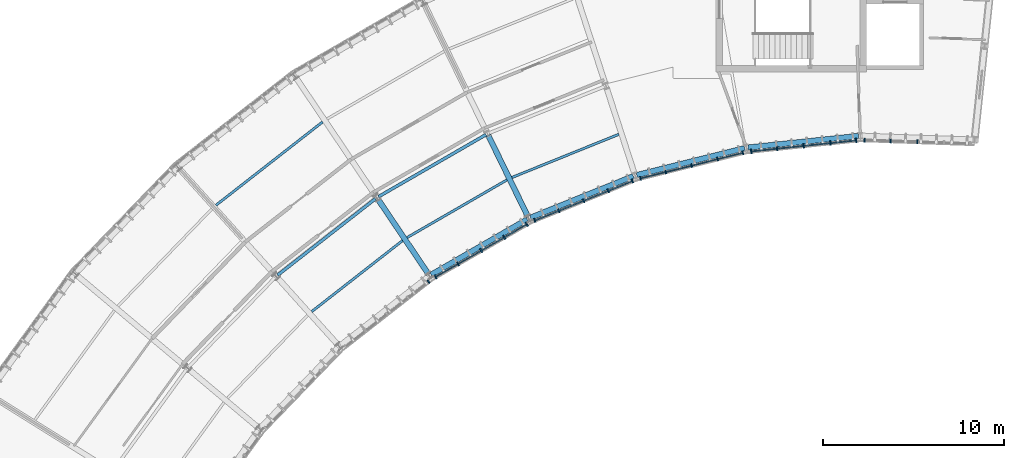
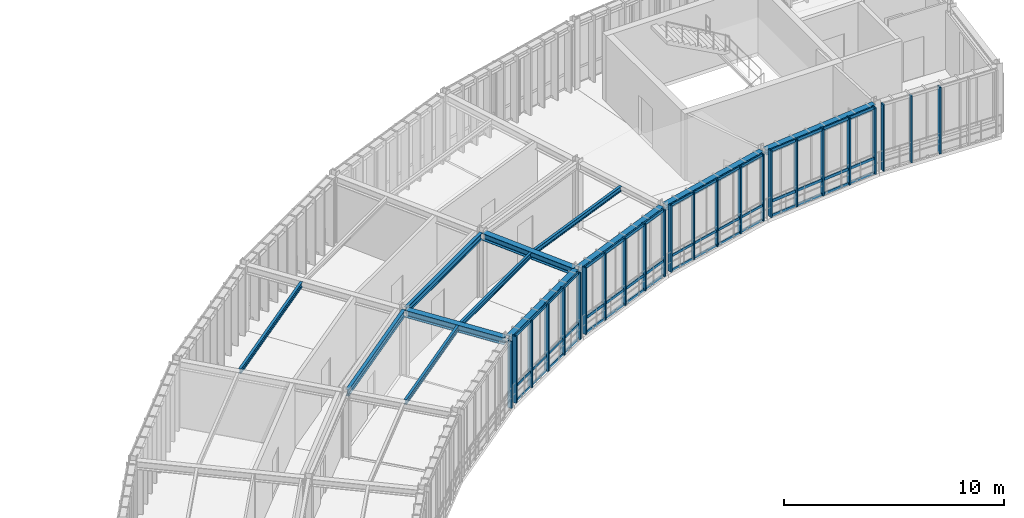
# One storey, part 13 of 41: 36 members, 12 beams, 6 elements without a shape of their own.
"""IFC4 building model written with IfcOpenShell, lengths in metres."""

from ifc_helpers import new_model, si_unit, direction, frame, origin, origin_2d, place, context, subcontext, project, spatial, rectangle, i_section, extrude, material, layer, layer_set, material_profile, profile_set, type_object, element, aggregate, save


model = new_model("IFC4")

# Units and contexts
model_context = context("Model", 3, precision=1e-05, world=origin(), true_north=direction((0.0, 1.0)))
body_context = subcontext(model_context, "Body", "Model", "MODEL_VIEW")
ifc_project = project(units=[si_unit("LENGTHUNIT", "METRE"), si_unit("AREAUNIT", "SQUARE_METRE"), si_unit("VOLUMEUNIT", "CUBIC_METRE"), si_unit("PLANEANGLEUNIT", "RADIAN"), si_unit("MASSUNIT", "GRAM", prefix="KILO"), si_unit("THERMODYNAMICTEMPERATUREUNIT", "KELVIN"), si_unit("POWERUNIT", "WATT")], contexts=[model_context])

# Site, building, storey
site_placement = place(None, origin())
site = spatial("IfcSite", under=ifc_project, at=site_placement, CompositionType="ELEMENT")
building_placement = place(site_placement, origin())
building = spatial("IfcBuilding", under=site, at=building_placement, Name="Solvatero Civic Police Headquarters", CompositionType="ELEMENT")
storey_placement = place(building_placement, frame((0.0, 0.0, 17.699951171875)))
storey = spatial("IfcBuildingStorey", under=building, at=storey_placement, Name="L04", CompositionType="ELEMENT", Elevation=17.699951171875)

# Beams
ifc_material_1 = material(Name="Steel S355", Category="steel")
ifc_material_profile_1 = material_profile(ifc_material_1, i_section(OverallWidth=0.300048828125, OverallDepth=0.2900390625, WebThickness=0.008544921875, FlangeThickness=0.013916015625, FilletRadius=0.027099609375, at=origin_2d()), Name="HEA 300")
ifc_profile_set_1 = profile_set([ifc_material_profile_1], Name="Steel S355")
beam_type_1 = type_object("IfcBeamType", Name="BM-ST-HEA300", PredefinedType="SPANDREL", material=ifc_profile_set_1)
for number, where, z_axis, x_axis, name in (
    (1, (92.31787109375, 71.31201171875, 3.554931640625), (-0.994518545743, -0.104560327912, 0.0), (0.104560327912, -0.994518545743, 0.0), "Perimeter / radial spandrel beam BM-R2-L04-ARC-CIN-B02"),
    (2, (86.028076171875, 70.63671875, 3.554931640625), (-0.970299338414, -0.241907407643, 0.0), (0.241907407643, -0.970299338414, 0.0), "Perimeter / radial spandrel beam BM-R2-L04-ARC-CIN-B03"),
):
    element("IfcBeam", number, at=place(storey_placement, frame(where, z_axis=z_axis, x_axis=x_axis)), inside=storey, type_object=beam_type_1, Name=name, PredefinedType="SPANDREL", context=body_context, shape_type="SweptSolid", body=[
        extrude(i_section(OverallWidth=0.300048828125, OverallDepth=0.2900390625, WebThickness=0.008544921875, FlangeThickness=0.013916015625, FilletRadius=0.027099609375, at=origin_2d()), origin(), (0.0, 0.0, 1.0), 6.126953125),
    ])
for number, where, z_axis, x_axis, name in (
    (3, (79.893310546875, 69.093017578125, 3.554931640625), (-0.927182224478, -0.374610628001, 0.0), (0.374610628001, -0.927182224478, 0.0), "Perimeter / radial spandrel beam BM-R2-L04-ARC-CIN-B04"),
    (4, (74.033203125, 66.710205078125, 3.554931640625), (-0.86603495258, -0.499983460637, 0.0), (0.499983460637, -0.86603495258, 0.0), "Perimeter / radial spandrel beam BM-R2-L04-ARC-CIN-B05"),
):
    element("IfcBeam", number, at=place(storey_placement, frame(where, z_axis=z_axis, x_axis=x_axis)), inside=storey, type_object=beam_type_1, Name=name, PredefinedType="SPANDREL", context=body_context, shape_type="SweptSolid", body=[
        extrude(i_section(OverallWidth=0.300048828125, OverallDepth=0.2900390625, WebThickness=0.008544921875, FlangeThickness=0.013916015625, FilletRadius=0.027099609375, at=origin_2d()), origin(), (0.0, 0.0, 1.0), 6.126708984375),
    ])
ifc_material_profile_2 = material_profile(ifc_material_1, i_section(OverallWidth=0.300048828125, OverallDepth=0.389892578125, WebThickness=0.010986328125, FlangeThickness=0.01904296875, FilletRadius=0.027099609375, at=origin_2d()), Name="HEA 400")
ifc_profile_set_2 = profile_set([ifc_material_profile_2], Name="Steel S355")
beam_type_2 = type_object("IfcBeamType", Name="BM-ST-HEA400", PredefinedType="BEAM", material=ifc_profile_set_2)
for number, where, z_axis, x_axis, name in (
    (5, (74.076171875, 66.85009765625, 3.505126953125), (-0.438422670017, 0.898768914914, 0.0), (-0.898768914914, -0.438422670017, 0.0), "Primary girder BM-R2-L04-ARC-RAD1-S04"),
    (6, (68.584716796875, 63.6796875, 3.505126953125), (-0.559176791171, 0.829048440211, 0.0), (-0.829048440211, -0.559176791171, 0.0), "Primary girder BM-R2-L04-ARC-RAD1-S05"),
):
    element("IfcBeam", number, at=place(storey_placement, frame(where, z_axis=z_axis, x_axis=x_axis)), inside=storey, type_object=beam_type_2, Name=name, PredefinedType="BEAM", context=body_context, shape_type="SweptSolid", body=[
        extrude(i_section(OverallWidth=0.300048828125, OverallDepth=0.389892578125, WebThickness=0.010986328125, FlangeThickness=0.01904296875, FilletRadius=0.027099609375, at=origin_2d()), origin(), (0.0, 0.0, 1.0), 5.0),
    ])
ifc_material_profile_3 = material_profile(ifc_material_1, i_section(OverallWidth=0.135009765625, OverallDepth=0.27001953125, WebThickness=0.006591796875, FlangeThickness=0.01025390625, FilletRadius=0.014892578125, at=origin_2d()), Name="IPE 270")
ifc_profile_set_3 = profile_set([ifc_material_profile_3], Name="Steel S355")
beam_type_3 = type_object("IfcBeamType", Name="BM-ST-IPE270", PredefinedType="BEAM", material=ifc_profile_set_3)
beam_1_placement = place(storey_placement, frame((79.08984375, 71.404296875, 3.56494140625), z_axis=(-0.927180902573, -0.374613899774, 0.0), x_axis=(0.374613899774, -0.927180902573, 0.0)))
element("IfcBeam", 7, at=beam_1_placement, inside=storey, type_object=beam_type_3, Name="Composite floor beam BM-R2-L04-ARC-CS1-B04", PredefinedType="BEAM", context=body_context, shape_type="SweptSolid", body=[
    extrude(i_section(OverallWidth=0.135009765625, OverallDepth=0.27001953125, WebThickness=0.006591796875, FlangeThickness=0.01025390625, FilletRadius=0.014892578125, at=origin_2d()), origin(), (0.0, 0.0, 1.0), 6.36865234375),
])
beam_2_placement = place(storey_placement, frame((72.916015625, 68.887451171875, 3.56494140625), z_axis=(-0.866017059223, -0.500014452926, 0.0), x_axis=(0.500014452926, -0.866017059223, 0.0)))
element("IfcBeam", 8, at=beam_2_placement, inside=storey, type_object=beam_type_3, Name="Composite floor beam BM-R2-L04-ARC-CS1-B05", PredefinedType="BEAM", context=body_context, shape_type="SweptSolid", body=[
    extrude(i_section(OverallWidth=0.135009765625, OverallDepth=0.27001953125, WebThickness=0.006591796875, FlangeThickness=0.01025390625, FilletRadius=0.014892578125, at=origin_2d()), origin(), (0.0, 0.0, 1.0), 6.368896484375),
])
beam_3_placement = place(storey_placement, frame((67.15234375, 65.53564453125, 3.56494140625), z_axis=(-0.787994151897, -0.615682723955, 0.0), x_axis=(0.615682723955, -0.787994151897, 0.0)))
element("IfcBeam", 9, at=beam_3_placement, inside=storey, type_object=beam_type_3, Name="Composite floor beam BM-R2-L04-ARC-CS1-B06", PredefinedType="BEAM", context=body_context, shape_type="SweptSolid", body=[
    extrude(i_section(OverallWidth=0.135009765625, OverallDepth=0.27001953125, WebThickness=0.006591796875, FlangeThickness=0.01025390625, FilletRadius=0.014892578125, at=origin_2d()), origin(), (0.0, 0.0, 1.0), 6.36865234375),
])
beam_4_placement = place(storey_placement, frame((62.73486328125, 72.085205078125, 3.56494140625), z_axis=(-0.78800951062, -0.615663066272, 0.0), x_axis=(0.615663066272, -0.78800951062, 0.0)))
element("IfcBeam", 10, at=beam_4_placement, inside=storey, type_object=beam_type_3, Name="Composite floor beam BM-R2-L04-ARC-CS2-B06", PredefinedType="BEAM", context=body_context, shape_type="SweptSolid", body=[
    extrude(i_section(OverallWidth=0.135009765625, OverallDepth=0.27001953125, WebThickness=0.006591796875, FlangeThickness=0.01025390625, FilletRadius=0.014892578125, at=origin_2d()), origin(), (0.0, 0.0, 1.0), 7.470947265625),
])
ifc_material_profile_4 = material_profile(ifc_material_1, i_section(OverallWidth=0.169921875, OverallDepth=0.360107421875, WebThickness=0.008056640625, FlangeThickness=0.0126953125, FilletRadius=0.01806640625, at=origin_2d()), Name="IPE 360")
ifc_profile_set_4 = profile_set([ifc_material_profile_4], Name="Steel S355")
beam_type_4 = type_object("IfcBeamType", Name="BM-ST-IPE360", PredefinedType="BEAM", material=ifc_profile_set_4)
for number, where, z_axis, x_axis, name in (
    (11, (71.753662109375, 71.384033203125, 3.52001953125), (-0.866020050267, -0.50000927245, 0.0), (0.50000927245, -0.866020050267, 0.0), "Composite floor beam BM-R2-L04-ARC-CMID-B05"),
    (12, (65.654052734375, 67.84619140625, 3.52001953125), (-0.788036257023, -0.615628831047, 0.0), (0.615628831047, -0.788036257023, 0.0), "Composite floor beam BM-R2-L04-ARC-CMID-B06"),
):
    element("IfcBeam", number, at=place(storey_placement, frame(where, z_axis=z_axis, x_axis=x_axis)), inside=storey, type_object=beam_type_4, Name=name, PredefinedType="BEAM", context=body_context, shape_type="SweptSolid", body=[
        extrude(i_section(OverallWidth=0.169921875, OverallDepth=0.360107421875, WebThickness=0.008056640625, FlangeThickness=0.0126953125, FilletRadius=0.01806640625, at=origin_2d()), origin(), (0.0, 0.0, 1.0), 6.852294921875),
    ])

# Curtain wall, members
ifc_material_2 = material(Name="Anodized Bronze Aluminium", Category="aluminium")
ifc_layer = layer(ifc_material_2, 0.179931640625)
ifc_layer_set = layer_set([ifc_layer], Name="Anodized Bronze Aluminium")
curtain_wall_type = type_object("IfcCurtainWallType", Name="CW-ARC-IN", PredefinedType="USERDEFINED", material=ifc_layer_set)
curtain_wall_1_placement = place(storey_placement, origin())
curtain_wall_1 = element("IfcCurtainWall", 13, at=curtain_wall_1_placement, inside=storey, type_object=curtain_wall_type, Name="Curtain Wall CW-R2-L04-ARC-IN-B02", ObjectType="UNITISED", PredefinedType="USERDEFINED")
ifc_material_profile_5 = material_profile(ifc_material_2, rectangle(XDim=0.080078125, YDim=0.239990234375, at=origin_2d()), Name="ALU MULLION 80x240")
ifc_profile_set_5 = profile_set([ifc_material_profile_5], Name="Anodized Bronze Aluminium")
member_type_1 = type_object("IfcMemberType", Name="CWM-140x60", PredefinedType="MULLION", material=ifc_profile_set_5)
member_1_placement = place(storey_placement, frame((92.192626953125, 71.068115234375, 0.0), z_axis=(0.0, 0.0, 1.0), x_axis=(-0.994521895368, -0.104528463268, 0.0)))
member_1 = element("IfcMember", 14, at=member_1_placement, type_object=member_type_1, Name="CW-R2-L04-ARC-IN-B02 Mullion 1", PredefinedType="MULLION", context=body_context, shape_type="SweptSolid", body=[
    extrude(rectangle(XDim=0.080078125, YDim=0.239990234375, at=origin_2d()), origin(), (0.0, 0.0, 1.0), 3.699951171875),
])
member_2_placement = place(storey_placement, frame((90.763916015625, 70.917724609375, 0.0), z_axis=(0.0, 0.0, 1.0), x_axis=(-0.994521895368, -0.104528463268, 0.0)))
member_2 = element("IfcMember", 15, at=member_2_placement, type_object=member_type_1, Name="CW-R2-L04-ARC-IN-B02 Mullion 2", PredefinedType="MULLION", context=body_context, shape_type="SweptSolid", body=[
    extrude(rectangle(XDim=0.080078125, YDim=0.239990234375, at=origin_2d()), origin(), (0.0, 0.0, 1.0), 3.699951171875),
])
member_3_placement = place(storey_placement, frame((89.295166015625, 70.763427734375, 0.0), z_axis=(0.0, 0.0, 1.0), x_axis=(-0.994521895368, -0.104528463268, 0.0)))
member_3 = element("IfcMember", 16, at=member_3_placement, type_object=member_type_1, Name="CW-R2-L04-ARC-IN-B02 Mullion 3", PredefinedType="MULLION", context=body_context, shape_type="SweptSolid", body=[
    extrude(rectangle(XDim=0.080078125, YDim=0.239990234375, at=origin_2d()), origin(), (0.0, 0.0, 1.0), 3.699951171875),
])
member_4_placement = place(storey_placement, frame((87.82666015625, 70.609130859375, 0.0), z_axis=(0.0, 0.0, 1.0), x_axis=(-0.994521895368, -0.104528463268, 0.0)))
member_4 = element("IfcMember", 17, at=member_4_placement, type_object=member_type_1, Name="CW-R2-L04-ARC-IN-B02 Mullion 4", PredefinedType="MULLION", context=body_context, shape_type="SweptSolid", body=[
    extrude(rectangle(XDim=0.080078125, YDim=0.239990234375, at=origin_2d()), origin(), (0.0, 0.0, 1.0), 3.699951171875),
])
member_5_placement = place(storey_placement, frame((86.397705078125, 70.458984375, 0.0), z_axis=(0.0, 0.0, 1.0), x_axis=(-0.994521895368, -0.104528463268, 0.0)))
member_5 = element("IfcMember", 18, at=member_5_placement, type_object=member_type_1, Name="CW-R2-L04-ARC-IN-B02 Mullion 5", PredefinedType="MULLION", context=body_context, shape_type="SweptSolid", body=[
    extrude(rectangle(XDim=0.080078125, YDim=0.239990234375, at=origin_2d()), origin(), (0.0, 0.0, 1.0), 3.699951171875),
])

curtain_wall_2_placement = place(storey_placement, origin())
curtain_wall_2 = element("IfcCurtainWall", 19, at=curtain_wall_2_placement, inside=storey, type_object=curtain_wall_type, Name="Curtain Wall CW-R2-L04-ARC-IN-B05", ObjectType="UNITISED", PredefinedType="USERDEFINED")
member_6_placement = place(storey_placement, frame((74.009521484375, 66.431640625, 0.0), z_axis=(0.0, 0.0, 1.0), x_axis=(-0.866025403784, -0.5, 0.0)))
member_6 = element("IfcMember", 20, at=member_6_placement, type_object=member_type_1, Name="CW-R2-L04-ARC-IN-B05 Mullion 1", PredefinedType="MULLION", context=body_context, shape_type="SweptSolid", body=[
    extrude(rectangle(XDim=0.080078125, YDim=0.239990234375, at=origin_2d()), origin(), (0.0, 0.0, 1.0), 3.699951171875),
])
member_7_placement = place(storey_placement, frame((72.767333984375, 65.714599609375, 0.0), z_axis=(0.0, 0.0, 1.0), x_axis=(-0.866025403784, -0.5, 0.0)))
member_7 = element("IfcMember", 21, at=member_7_placement, type_object=member_type_1, Name="CW-R2-L04-ARC-IN-B05 Mullion 2", PredefinedType="MULLION", context=body_context, shape_type="SweptSolid", body=[
    extrude(rectangle(XDim=0.080078125, YDim=0.239990234375, at=origin_2d()), origin(), (0.0, 0.0, 1.0), 3.699951171875),
])
member_8_placement = place(storey_placement, frame((71.490478515625, 64.9775390625, 0.0), z_axis=(0.0, 0.0, 1.0), x_axis=(-0.866025403784, -0.5, 0.0)))
member_8 = element("IfcMember", 22, at=member_8_placement, type_object=member_type_1, Name="CW-R2-L04-ARC-IN-B05 Mullion 3", PredefinedType="MULLION", context=body_context, shape_type="SweptSolid", body=[
    extrude(rectangle(XDim=0.080078125, YDim=0.239990234375, at=origin_2d()), origin(), (0.0, 0.0, 1.0), 3.699951171875),
])
member_9_placement = place(storey_placement, frame((70.2138671875, 64.240478515625, 0.0), z_axis=(0.0, 0.0, 1.0), x_axis=(-0.866025403784, -0.5, 0.0)))
member_9 = element("IfcMember", 23, at=member_9_placement, type_object=member_type_1, Name="CW-R2-L04-ARC-IN-B05 Mullion 4", PredefinedType="MULLION", context=body_context, shape_type="SweptSolid", body=[
    extrude(rectangle(XDim=0.080078125, YDim=0.239990234375, at=origin_2d()), origin(), (0.0, 0.0, 1.0), 3.699951171875),
])
member_10_placement = place(storey_placement, frame((68.9716796875, 63.523193359375, 0.0), z_axis=(0.0, 0.0, 1.0), x_axis=(-0.866025403784, -0.5, 0.0)))
member_10 = element("IfcMember", 24, at=member_10_placement, type_object=member_type_1, Name="CW-R2-L04-ARC-IN-B05 Mullion 5", PredefinedType="MULLION", context=body_context, shape_type="SweptSolid", body=[
    extrude(rectangle(XDim=0.080078125, YDim=0.239990234375, at=origin_2d()), origin(), (0.0, 0.0, 1.0), 3.699951171875),
])

curtain_wall_3_placement = place(storey_placement, origin())
curtain_wall_3 = element("IfcCurtainWall", 25, at=curtain_wall_3_placement, inside=storey, type_object=curtain_wall_type, Name="Curtain Wall CW-R2-L04-ARC-IN-B03", ObjectType="UNITISED", PredefinedType="USERDEFINED")
ifc_material_profile_6 = material_profile(ifc_material_2, rectangle(XDim=0.070068359375, YDim=0.199951171875, at=origin_2d()), Name="ALU MULLION 70x200")
ifc_profile_set_6 = profile_set([ifc_material_profile_6], Name="Anodized Bronze Aluminium")
member_type_2 = type_object("IfcMemberType", Name="CWM-220x80", PredefinedType="MULLION", material=ifc_profile_set_6)
member_11_placement = place(storey_placement, frame((85.93798828125, 70.3779296875, 0.0), z_axis=(0.0, 0.0, 1.0), x_axis=(-0.970295726276, -0.2419218956, 0.0)))
member_11 = element("IfcMember", 26, at=member_11_placement, type_object=member_type_2, Name="CW-R2-L04-ARC-IN-B03 Mullion 1", PredefinedType="MULLION", context=body_context, shape_type="SweptSolid", body=[
    extrude(rectangle(XDim=0.070068359375, YDim=0.199951171875, at=origin_2d()), origin(), (0.0, 0.0, 1.0), 3.699951171875),
])
member_12_placement = place(storey_placement, frame((84.5439453125, 70.0302734375, 0.0), z_axis=(0.0, 0.0, 1.0), x_axis=(-0.970295726276, -0.2419218956, 0.0)))
member_12 = element("IfcMember", 27, at=member_12_placement, type_object=member_type_2, Name="CW-R2-L04-ARC-IN-B03 Mullion 2", PredefinedType="MULLION", context=body_context, shape_type="SweptSolid", body=[
    extrude(rectangle(XDim=0.070068359375, YDim=0.199951171875, at=origin_2d()), origin(), (0.0, 0.0, 1.0), 3.699951171875),
])
member_13_placement = place(storey_placement, frame((83.111083984375, 69.673095703125, 0.0), z_axis=(0.0, 0.0, 1.0), x_axis=(-0.970295726276, -0.2419218956, 0.0)))
member_13 = element("IfcMember", 28, at=member_13_placement, type_object=member_type_2, Name="CW-R2-L04-ARC-IN-B03 Mullion 3", PredefinedType="MULLION", context=body_context, shape_type="SweptSolid", body=[
    extrude(rectangle(XDim=0.070068359375, YDim=0.199951171875, at=origin_2d()), origin(), (0.0, 0.0, 1.0), 3.699951171875),
])
member_14_placement = place(storey_placement, frame((81.67822265625, 69.31591796875, 0.0), z_axis=(0.0, 0.0, 1.0), x_axis=(-0.970295726276, -0.2419218956, 0.0)))
member_14 = element("IfcMember", 29, at=member_14_placement, type_object=member_type_2, Name="CW-R2-L04-ARC-IN-B03 Mullion 4", PredefinedType="MULLION", context=body_context, shape_type="SweptSolid", body=[
    extrude(rectangle(XDim=0.070068359375, YDim=0.199951171875, at=origin_2d()), origin(), (0.0, 0.0, 1.0), 3.699951171875),
])
member_15_placement = place(storey_placement, frame((80.2841796875, 68.96826171875, 0.0), z_axis=(0.0, 0.0, 1.0), x_axis=(-0.970295726276, -0.2419218956, 0.0)))
member_15 = element("IfcMember", 30, at=member_15_placement, type_object=member_type_2, Name="CW-R2-L04-ARC-IN-B03 Mullion 5", PredefinedType="MULLION", context=body_context, shape_type="SweptSolid", body=[
    extrude(rectangle(XDim=0.070068359375, YDim=0.199951171875, at=origin_2d()), origin(), (0.0, 0.0, 1.0), 3.699951171875),
])

# Curtain wall, member
curtain_wall_4_placement = place(storey_placement, origin())
curtain_wall_4 = element("IfcCurtainWall", 31, at=curtain_wall_4_placement, inside=storey, type_object=curtain_wall_type, Name="Curtain Wall CW-R2-L04-ARC-IN-B06", ObjectType="UNITISED", PredefinedType="USERDEFINED")
member_16_placement = place(storey_placement, frame((68.5849609375, 63.26220703125, 0.0), z_axis=(0.0, 0.0, 1.0), x_axis=(-0.788010753607, -0.615661475326, 0.0)))
member_16 = element("IfcMember", 32, at=member_16_placement, type_object=member_type_2, Name="CW-R2-L04-ARC-IN-B06 Mullion 1", PredefinedType="MULLION", context=body_context, shape_type="SweptSolid", body=[
    extrude(rectangle(XDim=0.070068359375, YDim=0.199951171875, at=origin_2d()), origin(), (0.0, 0.0, 1.0), 3.699951171875),
])
aggregate(curtain_wall_4, [member_16])

# Curtain wall, members
curtain_wall_5_placement = place(storey_placement, origin())
curtain_wall_5 = element("IfcCurtainWall", 33, at=curtain_wall_5_placement, inside=storey, type_object=curtain_wall_type, Name="Curtain Wall CW-R2-L04-ARC-IN-B01", ObjectType="UNITISED", PredefinedType="USERDEFINED")
ifc_material_profile_7 = material_profile(ifc_material_2, rectangle(XDim=0.074951171875, YDim=0.219970703125, at=origin_2d()), Name="ALU MULLION 75x220")
ifc_profile_set_7 = profile_set([ifc_material_profile_7], Name="Anodized Bronze Aluminium")
member_type_3 = type_object("IfcMemberType", Name="CWM-250x85", PredefinedType="MULLION", material=ifc_profile_set_7)
member_17_placement = place(storey_placement, frame((95.56591796875, 70.98291015625, 0.0), z_axis=(0.0, 0.0, 1.0), x_axis=(-0.999390827019, 0.034899496703, 0.0)))
member_17 = element("IfcMember", 34, at=member_17_placement, type_object=member_type_3, Name="CW-R2-L04-ARC-IN-B01 Mullion 3", PredefinedType="MULLION", context=body_context, shape_type="SweptSolid", body=[
    extrude(rectangle(XDim=0.074951171875, YDim=0.219970703125, at=origin_2d()), origin(), (0.0, 0.0, 1.0), 3.699951171875),
])
member_18_placement = place(storey_placement, frame((94.092529296875, 71.0341796875, 0.0), z_axis=(0.0, 0.0, 1.0), x_axis=(-0.999390827019, 0.034899496703, 0.0)))
member_18 = element("IfcMember", 35, at=member_18_placement, type_object=member_type_3, Name="CW-R2-L04-ARC-IN-B01 Mullion 4", PredefinedType="MULLION", context=body_context, shape_type="SweptSolid", body=[
    extrude(rectangle(XDim=0.074951171875, YDim=0.219970703125, at=origin_2d()), origin(), (0.0, 0.0, 1.0), 3.699951171875),
])
member_19_placement = place(storey_placement, frame((92.6591796875, 71.084228515625, 0.0), z_axis=(0.0, 0.0, 1.0), x_axis=(-0.999390827019, 0.034899496703, 0.0)))
member_19 = element("IfcMember", 36, at=member_19_placement, type_object=member_type_3, Name="CW-R2-L04-ARC-IN-B01 Mullion 5", PredefinedType="MULLION", context=body_context, shape_type="SweptSolid", body=[
    extrude(rectangle(XDim=0.074951171875, YDim=0.219970703125, at=origin_2d()), origin(), (0.0, 0.0, 1.0), 3.699951171875),
])
aggregate(curtain_wall_5, [member_17, member_18, member_19])

curtain_wall_6_placement = place(storey_placement, origin())
curtain_wall_6 = element("IfcCurtainWall", 37, at=curtain_wall_6_placement, inside=storey, type_object=curtain_wall_type, Name="Curtain Wall CW-R2-L04-ARC-IN-B04", ObjectType="UNITISED", PredefinedType="USERDEFINED")
member_20_placement = place(storey_placement, frame((79.840087890625, 68.823974609375, 0.0), z_axis=(0.0, 0.0, 1.0), x_axis=(-0.927183854567, -0.374606593416, 0.0)))
member_20 = element("IfcMember", 38, at=member_20_placement, type_object=member_type_3, Name="CW-R2-L04-ARC-IN-B04 Mullion 1", PredefinedType="MULLION", context=body_context, shape_type="SweptSolid", body=[
    extrude(rectangle(XDim=0.074951171875, YDim=0.219970703125, at=origin_2d()), origin(), (0.0, 0.0, 1.0), 3.699951171875),
])
member_21_placement = place(storey_placement, frame((78.510498046875, 68.28662109375, 0.0), z_axis=(0.0, 0.0, 1.0), x_axis=(-0.927183854567, -0.374606593416, 0.0)))
member_21 = element("IfcMember", 39, at=member_21_placement, type_object=member_type_3, Name="CW-R2-L04-ARC-IN-B04 Mullion 2", PredefinedType="MULLION", context=body_context, shape_type="SweptSolid", body=[
    extrude(rectangle(XDim=0.074951171875, YDim=0.219970703125, at=origin_2d()), origin(), (0.0, 0.0, 1.0), 3.699951171875),
])
member_22_placement = place(storey_placement, frame((77.1435546875, 67.734619140625, 0.0), z_axis=(0.0, 0.0, 1.0), x_axis=(-0.927183854567, -0.374606593416, 0.0)))
member_22 = element("IfcMember", 40, at=member_22_placement, type_object=member_type_3, Name="CW-R2-L04-ARC-IN-B04 Mullion 3", PredefinedType="MULLION", context=body_context, shape_type="SweptSolid", body=[
    extrude(rectangle(XDim=0.074951171875, YDim=0.219970703125, at=origin_2d()), origin(), (0.0, 0.0, 1.0), 3.699951171875),
])
member_23_placement = place(storey_placement, frame((75.776611328125, 67.18212890625, 0.0), z_axis=(0.0, 0.0, 1.0), x_axis=(-0.927183854567, -0.374606593416, 0.0)))
member_23 = element("IfcMember", 41, at=member_23_placement, type_object=member_type_3, Name="CW-R2-L04-ARC-IN-B04 Mullion 4", PredefinedType="MULLION", context=body_context, shape_type="SweptSolid", body=[
    extrude(rectangle(XDim=0.074951171875, YDim=0.219970703125, at=origin_2d()), origin(), (0.0, 0.0, 1.0), 3.699951171875),
])
member_24_placement = place(storey_placement, frame((74.447021484375, 66.64501953125, 0.0), z_axis=(0.0, 0.0, 1.0), x_axis=(-0.927183854567, -0.374606593416, 0.0)))
member_24 = element("IfcMember", 42, at=member_24_placement, type_object=member_type_3, Name="CW-R2-L04-ARC-IN-B04 Mullion 5", PredefinedType="MULLION", context=body_context, shape_type="SweptSolid", body=[
    extrude(rectangle(XDim=0.074951171875, YDim=0.219970703125, at=origin_2d()), origin(), (0.0, 0.0, 1.0), 3.699951171875),
])

# Member
ifc_material_profile_8 = material_profile(ifc_material_2, rectangle(XDim=0.070068359375, YDim=0.159912109375, at=origin_2d()), Name="ALU TRANSOM 70x160")
ifc_profile_set_8 = profile_set([ifc_material_profile_8], Name="Anodized Bronze Aluminium")
member_type_4 = type_object("IfcMemberType", Name="CWT-120x55", PredefinedType="USERDEFINED", material=ifc_profile_set_8)
member_25_placement = place(storey_placement, frame((92.182861328125, 71.06689453125, 0.0400390625), z_axis=(-0.994522947256, -0.10451845474, 0.0), x_axis=(0.10451845474, -0.994522947256, 0.0)))
member_25 = element("IfcMember", 43, at=member_25_placement, type_object=member_type_4, Name="CW-R2-L04-ARC-IN-B02 Transom 1", ObjectType="TRANSOM", PredefinedType="USERDEFINED", context=body_context, shape_type="SweptSolid", body=[
    extrude(rectangle(XDim=0.070068359375, YDim=0.159912109375, at=origin_2d()), origin(), (0.0, 0.0, 1.0), 5.806884765625),
])

member_26_placement = place(storey_placement, frame((92.182861328125, 71.06689453125, 0.85009765625), z_axis=(-0.994522947256, -0.10451845474, 0.0), x_axis=(0.10451845474, -0.994522947256, 0.0)))
member_26 = element("IfcMember", 44, at=member_26_placement, type_object=member_type_4, Name="CW-R2-L04-ARC-IN-B02 Transom 2", ObjectType="TRANSOM", PredefinedType="USERDEFINED", context=body_context, shape_type="SweptSolid", body=[
    extrude(rectangle(XDim=0.070068359375, YDim=0.159912109375, at=origin_2d()), origin(), (0.0, 0.0, 1.0), 5.806884765625),
])

member_27_placement = place(storey_placement, frame((92.182861328125, 71.06689453125, 3.66015625), z_axis=(-0.994522947256, -0.10451845474, 0.0), x_axis=(0.10451845474, -0.994522947256, 0.0)))
member_27 = element("IfcMember", 45, at=member_27_placement, type_object=member_type_4, Name="CW-R2-L04-ARC-IN-B02 Transom 3", ObjectType="TRANSOM", PredefinedType="USERDEFINED", context=body_context, shape_type="SweptSolid", body=[
    extrude(rectangle(XDim=0.070068359375, YDim=0.159912109375, at=origin_2d()), origin(), (0.0, 0.0, 1.0), 5.806884765625),
])

aggregate(curtain_wall_1, [member_1, member_2, member_3, member_4, member_5, member_25, member_26, member_27])

member_28_placement = place(storey_placement, frame((79.830810546875, 68.8203125, 0.0400390625), z_axis=(-0.927172638919, -0.374634351921, 0.0), x_axis=(0.374634351921, -0.927172638919, 0.0)))
member_28 = element("IfcMember", 46, at=member_28_placement, type_object=member_type_4, Name="CW-R2-L04-ARC-IN-B04 Transom 1", ObjectType="TRANSOM", PredefinedType="USERDEFINED", context=body_context, shape_type="SweptSolid", body=[
    extrude(rectangle(XDim=0.070068359375, YDim=0.159912109375, at=origin_2d()), origin(), (0.0, 0.0, 1.0), 5.796630859375),
])

member_29_placement = place(storey_placement, frame((79.830810546875, 68.8203125, 0.85009765625), z_axis=(-0.927172638919, -0.374634351921, 0.0), x_axis=(0.374634351921, -0.927172638919, 0.0)))
member_29 = element("IfcMember", 47, at=member_29_placement, type_object=member_type_4, Name="CW-R2-L04-ARC-IN-B04 Transom 2", ObjectType="TRANSOM", PredefinedType="USERDEFINED", context=body_context, shape_type="SweptSolid", body=[
    extrude(rectangle(XDim=0.070068359375, YDim=0.159912109375, at=origin_2d()), origin(), (0.0, 0.0, 1.0), 5.796630859375),
])

member_30_placement = place(storey_placement, frame((79.830810546875, 68.8203125, 3.66015625), z_axis=(-0.927172638919, -0.374634351921, 0.0), x_axis=(0.374634351921, -0.927172638919, 0.0)))
member_30 = element("IfcMember", 48, at=member_30_placement, type_object=member_type_4, Name="CW-R2-L04-ARC-IN-B04 Transom 3", ObjectType="TRANSOM", PredefinedType="USERDEFINED", context=body_context, shape_type="SweptSolid", body=[
    extrude(rectangle(XDim=0.070068359375, YDim=0.159912109375, at=origin_2d()), origin(), (0.0, 0.0, 1.0), 5.796630859375),
])

aggregate(curtain_wall_6, [member_20, member_21, member_22, member_23, member_24, member_28, member_29, member_30])

ifc_material_profile_9 = material_profile(ifc_material_2, rectangle(XDim=0.06494140625, YDim=0.139892578125, at=origin_2d()), Name="ALU TRANSOM 65x140")
ifc_profile_set_9 = profile_set([ifc_material_profile_9], Name="Anodized Bronze Aluminium")
member_type_5 = type_object("IfcMemberType", Name="CWT-180x70", PredefinedType="USERDEFINED", material=ifc_profile_set_9)
member_31_placement = place(storey_placement, frame((85.928466796875, 70.37548828125, 0.0400390625), z_axis=(-0.970300564648, -0.241902489124, 0.0), x_axis=(0.241902489124, -0.970300564648, 0.0)))
member_31 = element("IfcMember", 49, at=member_31_placement, type_object=member_type_5, Name="CW-R2-L04-ARC-IN-B03 Transom 1", ObjectType="TRANSOM", PredefinedType="USERDEFINED", context=body_context, shape_type="SweptSolid", body=[
    extrude(rectangle(XDim=0.06494140625, YDim=0.139892578125, at=origin_2d()), origin(), (0.0, 0.0, 1.0), 5.80712890625),
])

member_32_placement = place(storey_placement, frame((85.928466796875, 70.37548828125, 0.85009765625), z_axis=(-0.970300564648, -0.241902489124, 0.0), x_axis=(0.241902489124, -0.970300564648, 0.0)))
member_32 = element("IfcMember", 50, at=member_32_placement, type_object=member_type_5, Name="CW-R2-L04-ARC-IN-B03 Transom 2", ObjectType="TRANSOM", PredefinedType="USERDEFINED", context=body_context, shape_type="SweptSolid", body=[
    extrude(rectangle(XDim=0.06494140625, YDim=0.139892578125, at=origin_2d()), origin(), (0.0, 0.0, 1.0), 5.80712890625),
])

member_33_placement = place(storey_placement, frame((85.928466796875, 70.37548828125, 3.66015625), z_axis=(-0.970300564648, -0.241902489124, 0.0), x_axis=(0.241902489124, -0.970300564648, 0.0)))
member_33 = element("IfcMember", 51, at=member_33_placement, type_object=member_type_5, Name="CW-R2-L04-ARC-IN-B03 Transom 3", ObjectType="TRANSOM", PredefinedType="USERDEFINED", context=body_context, shape_type="SweptSolid", body=[
    extrude(rectangle(XDim=0.06494140625, YDim=0.139892578125, at=origin_2d()), origin(), (0.0, 0.0, 1.0), 5.80712890625),
])

aggregate(curtain_wall_3, [member_11, member_12, member_13, member_14, member_15, member_31, member_32, member_33])

member_34_placement = place(storey_placement, frame((74.000732421875, 66.4267578125, 0.0400390625), z_axis=(-0.866026381, -0.499998307408, 0.0), x_axis=(0.499998307408, -0.866026381, 0.0)))
member_34 = element("IfcMember", 52, at=member_34_placement, type_object=member_type_5, Name="CW-R2-L04-ARC-IN-B05 Transom 1", ObjectType="TRANSOM", PredefinedType="USERDEFINED", context=body_context, shape_type="SweptSolid", body=[
    extrude(rectangle(XDim=0.06494140625, YDim=0.139892578125, at=origin_2d()), origin(), (0.0, 0.0, 1.0), 5.796875),
])

member_35_placement = place(storey_placement, frame((74.000732421875, 66.4267578125, 0.85009765625), z_axis=(-0.866026381, -0.499998307408, 0.0), x_axis=(0.499998307408, -0.866026381, 0.0)))
member_35 = element("IfcMember", 53, at=member_35_placement, type_object=member_type_5, Name="CW-R2-L04-ARC-IN-B05 Transom 2", ObjectType="TRANSOM", PredefinedType="USERDEFINED", context=body_context, shape_type="SweptSolid", body=[
    extrude(rectangle(XDim=0.06494140625, YDim=0.139892578125, at=origin_2d()), origin(), (0.0, 0.0, 1.0), 5.796875),
])

member_36_placement = place(storey_placement, frame((74.000732421875, 66.4267578125, 3.66015625), z_axis=(-0.866026381, -0.499998307408, 0.0), x_axis=(0.499998307408, -0.866026381, 0.0)))
member_36 = element("IfcMember", 54, at=member_36_placement, type_object=member_type_5, Name="CW-R2-L04-ARC-IN-B05 Transom 3", ObjectType="TRANSOM", PredefinedType="USERDEFINED", context=body_context, shape_type="SweptSolid", body=[
    extrude(rectangle(XDim=0.06494140625, YDim=0.139892578125, at=origin_2d()), origin(), (0.0, 0.0, 1.0), 5.796875),
])

aggregate(curtain_wall_2, [member_6, member_7, member_8, member_9, member_10, member_34, member_35, member_36])

save(model, "model.ifc")
